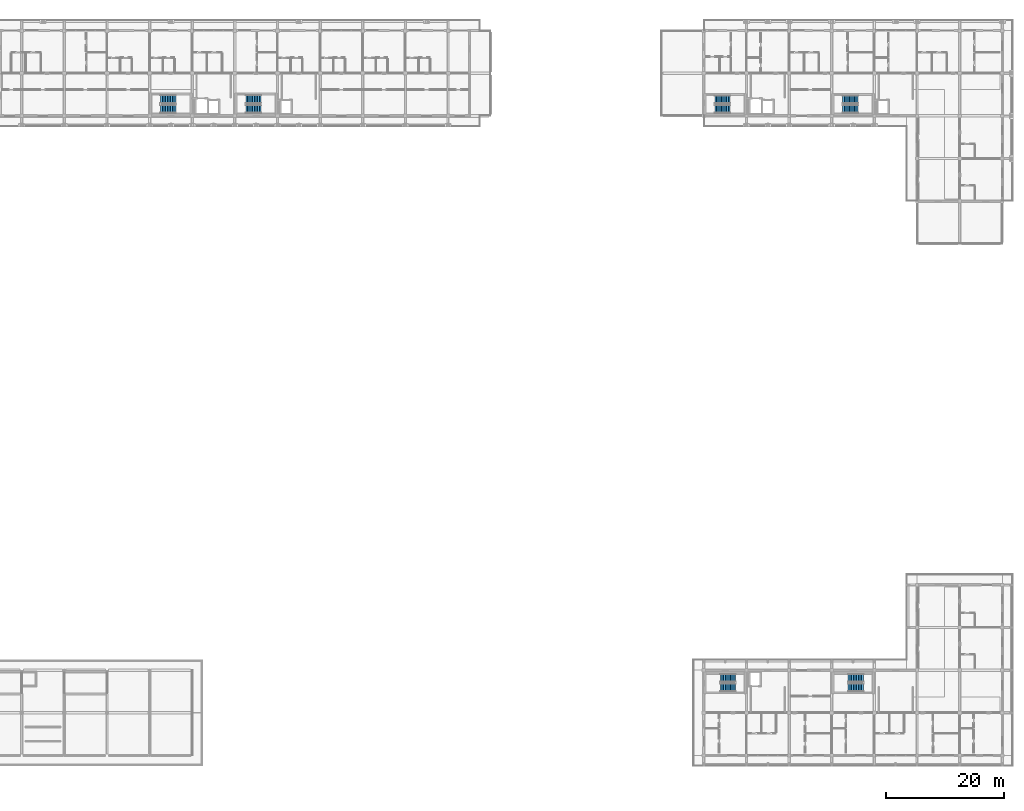
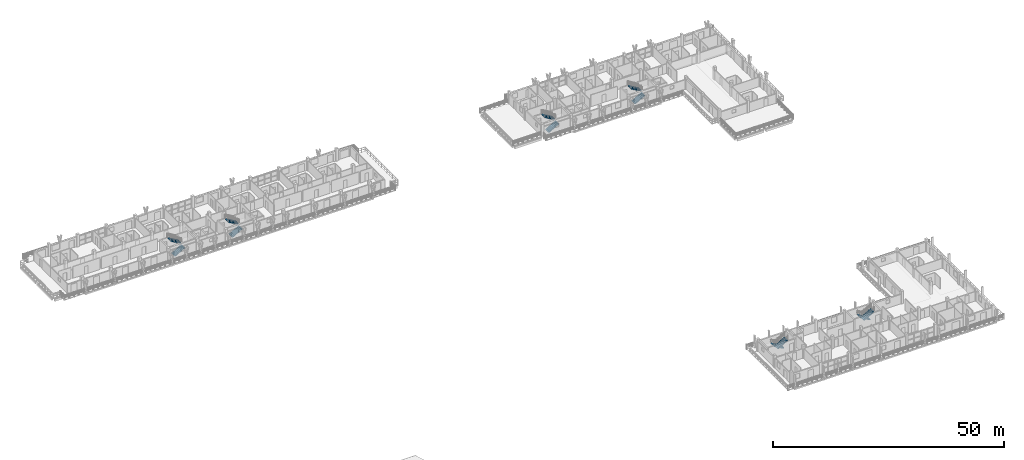
# One storey, part 48 of 60: 12 stair flights, 6 elements without a shape of their own.
"""IFC4 building model written with IfcOpenShell, lengths in metres."""

from ifc_helpers import new_model, si_unit, direction, frame, origin, place, context, subcontext, project, spatial, polyline, outline, extrude, material, type_object, element, aggregate, save


model = new_model("IFC4")

# Units and contexts
model_context = context("Model", 3, precision=1e-05, world=origin(), true_north=direction((0.0, 1.0)))
body_context = subcontext(model_context, "Body", "Model", "MODEL_VIEW")
ifc_project = project(units=[si_unit("LENGTHUNIT", "METRE"), si_unit("AREAUNIT", "SQUARE_METRE"), si_unit("VOLUMEUNIT", "CUBIC_METRE"), si_unit("PLANEANGLEUNIT", "RADIAN"), si_unit("MASSUNIT", "GRAM", prefix="KILO")], contexts=[model_context])

# Site, building, storey
site_placement = place(None, origin())
site = spatial("IfcSite", under=ifc_project, at=site_placement, CompositionType="ELEMENT")
building_placement = place(site_placement, origin())
building = spatial("IfcBuilding", under=site, at=building_placement, Name="Suanplinth Sawtooth Commons", CompositionType="ELEMENT")
storey_placement = place(building_placement, frame((0.0, 0.0, 31.5)))
storey = spatial("IfcBuildingStorey", under=building, at=storey_placement, Name="L09", CompositionType="ELEMENT", Elevation=31.5)

# Stair, stair flights
ifc_material = material(Name="Concrete C40/50", Category="concrete")
stair_type_1 = type_object("IfcStairType", Name="ST-04", PredefinedType="USERDEFINED", material=ifc_material)
stair_1_placement = place(storey_placement, origin())
stair_1 = element("IfcStair", 1, at=stair_1_placement, inside=storey, type_object=stair_type_1, Name="L09 Exit Stair ST-N1", ObjectType="TWO_RETURN_STAIR", PredefinedType="USERDEFINED")
stair_flight_type_1 = type_object("IfcStairFlightType", Name="SF-04", PredefinedType="STRAIGHT", material=ifc_material)
stair_flight_1_placement = place(storey_placement, frame((45.050048828125, 109.175048828125, 0.0), z_axis=(0.0, 0.0, 1.0), x_axis=(1.0, 0.0, 0.0)))
stair_flight_1 = element("IfcStairFlight", 2, at=stair_flight_1_placement, type_object=stair_flight_type_1, Name="ST-04 flight 1", NumberOfRisers=10, NumberOfTreads=9, PredefinedType="STRAIGHT", RiserHeight=0.165, TreadLength=0.285, context=body_context, shape_type="SweptSolid", body=[
    extrude(outline(polyline([(0.0, 0.0), (0.0, 0.1650390625), (0.284912109375, 0.1650390625), (0.284912109375, 0.330078125), (0.570068359375, 0.330078125), (0.570068359375, 0.4951171875), (0.85498046875, 0.4951171875), (0.85498046875, 0.659912109375), (1.139892578125, 0.659912109375), (1.139892578125, 0.824951171875), (1.425048828125, 0.824951171875), (1.425048828125, 0.989990234375), (1.7099609375, 0.989990234375), (1.7099609375, 1.155029296875), (1.9951171875, 1.155029296875), (1.9951171875, 1.320068359375), (2.280029296875, 1.320068359375), (2.280029296875, 1.485107421875), (2.56494140625, 1.485107421875), (2.56494140625, 1.64990234375), (2.56494140625, 1.30029296875), (0.319091796875, 0.0), (0.0, 0.0)])), frame((0.0, 0.72509765625, 0.0), z_axis=(0.0, -1.0, 0.0), x_axis=(1.0, 0.0, 0.0)), (0.0, 0.0, 1.0), 1.449951171875),
])
stair_flight_2_placement = place(storey_placement, frame((47.614990234375, 110.824951171875, 1.64990234375), z_axis=(0.0, 0.0, 1.0), x_axis=(-1.0, 0.0, 0.0)))
stair_flight_2 = element("IfcStairFlight", 3, at=stair_flight_2_placement, type_object=stair_flight_type_1, Name="ST-04 flight 2", NumberOfRisers=10, NumberOfTreads=9, PredefinedType="STRAIGHT", RiserHeight=0.165, TreadLength=0.285, context=body_context, shape_type="SweptSolid", body=[
    extrude(outline(polyline([(0.0, 0.0), (0.0, 0.1650390625), (0.284912109375, 0.1650390625), (0.284912109375, 0.330078125), (0.570068359375, 0.330078125), (0.570068359375, 0.4951171875), (0.85498046875, 0.4951171875), (0.85498046875, 0.659912109375), (1.139892578125, 0.659912109375), (1.139892578125, 0.824951171875), (1.425048828125, 0.824951171875), (1.425048828125, 0.989990234375), (1.7099609375, 0.989990234375), (1.7099609375, 1.155029296875), (1.9951171875, 1.155029296875), (1.9951171875, 1.320068359375), (2.280029296875, 1.320068359375), (2.280029296875, 1.485107421875), (2.56494140625, 1.485107421875), (2.56494140625, 1.64990234375), (2.56494140625, 1.30029296875), (0.319091796875, 0.0), (0.0, 0.0)])), frame((0.0, 0.72509765625, 0.0), z_axis=(0.0, -1.0, 0.0), x_axis=(1.0, 0.0, 0.0)), (0.0, 0.0, 1.0), 1.449951171875),
])
aggregate(stair_1, [stair_flight_1, stair_flight_2])

stair_2_placement = place(storey_placement, origin())
stair_2 = element("IfcStair", 4, at=stair_2_placement, inside=storey, type_object=stair_type_1, Name="L09 Exit Stair ST-N2", ObjectType="TWO_RETURN_STAIR", PredefinedType="USERDEFINED")
stair_flight_3_placement = place(storey_placement, frame((59.449951171875, 109.175048828125, 0.0), z_axis=(0.0, 0.0, 1.0), x_axis=(1.0, 0.0, 0.0)))
stair_flight_3 = element("IfcStairFlight", 5, at=stair_flight_3_placement, type_object=stair_flight_type_1, Name="ST-04 flight 1", NumberOfRisers=10, NumberOfTreads=9, PredefinedType="STRAIGHT", RiserHeight=0.165, TreadLength=0.285, context=body_context, shape_type="SweptSolid", body=[
    extrude(outline(polyline([(0.0, 0.0), (0.0, 0.1650390625), (0.284912109375, 0.1650390625), (0.284912109375, 0.330078125), (0.570068359375, 0.330078125), (0.570068359375, 0.4951171875), (0.85498046875, 0.4951171875), (0.85498046875, 0.659912109375), (1.139892578125, 0.659912109375), (1.139892578125, 0.824951171875), (1.425048828125, 0.824951171875), (1.425048828125, 0.989990234375), (1.7099609375, 0.989990234375), (1.7099609375, 1.155029296875), (1.9951171875, 1.155029296875), (1.9951171875, 1.320068359375), (2.280029296875, 1.320068359375), (2.280029296875, 1.485107421875), (2.56494140625, 1.485107421875), (2.56494140625, 1.64990234375), (2.56494140625, 1.30029296875), (0.319091796875, 0.0), (0.0, 0.0)])), frame((0.0, 0.72509765625, 0.0), z_axis=(0.0, -1.0, 0.0), x_axis=(1.0, 0.0, 0.0)), (0.0, 0.0, 1.0), 1.449951171875),
])
stair_flight_4_placement = place(storey_placement, frame((62.014892578125, 110.824951171875, 1.64990234375), z_axis=(0.0, 0.0, 1.0), x_axis=(-1.0, 0.0, 0.0)))
stair_flight_4 = element("IfcStairFlight", 6, at=stair_flight_4_placement, type_object=stair_flight_type_1, Name="ST-04 flight 2", NumberOfRisers=10, NumberOfTreads=9, PredefinedType="STRAIGHT", RiserHeight=0.165, TreadLength=0.285, context=body_context, shape_type="SweptSolid", body=[
    extrude(outline(polyline([(0.0, 0.0), (0.0, 0.1650390625), (0.284912109375, 0.1650390625), (0.284912109375, 0.330078125), (0.570068359375, 0.330078125), (0.570068359375, 0.4951171875), (0.85498046875, 0.4951171875), (0.85498046875, 0.659912109375), (1.139892578125, 0.659912109375), (1.139892578125, 0.824951171875), (1.425048828125, 0.824951171875), (1.425048828125, 0.989990234375), (1.7099609375, 0.989990234375), (1.7099609375, 1.155029296875), (1.9951171875, 1.155029296875), (1.9951171875, 1.320068359375), (2.280029296875, 1.320068359375), (2.280029296875, 1.485107421875), (2.56494140625, 1.485107421875), (2.56494140625, 1.64990234375), (2.56494140625, 1.30029296875), (0.319091796875, 0.0), (0.0, 0.0)])), frame((0.0, 0.72509765625, 0.0), z_axis=(0.0, -1.0, 0.0), x_axis=(1.0, 0.0, 0.0)), (0.0, 0.0, 1.0), 1.449951171875),
])
aggregate(stair_2, [stair_flight_3, stair_flight_4])

stair_type_2 = type_object("IfcStairType", Name="ST-08", PredefinedType="USERDEFINED", material=ifc_material)
stair_3_placement = place(storey_placement, origin())
stair_3 = element("IfcStair", 7, at=stair_3_placement, inside=storey, type_object=stair_type_2, Name="L09 Exit Stair ST-E1", ObjectType="TWO_RETURN_STAIR", PredefinedType="USERDEFINED")
stair_flight_type_2 = type_object("IfcStairFlightType", Name="SF-08", PredefinedType="STRAIGHT", material=ifc_material)
stair_flight_5_placement = place(storey_placement, frame((138.64990234375, 109.14990234375, 0.0), z_axis=(0.0, 0.0, 1.0), x_axis=(1.0, 0.0, 0.0)))
stair_flight_5 = element("IfcStairFlight", 8, at=stair_flight_5_placement, type_object=stair_flight_type_2, Name="ST-08 flight 1", NumberOfRisers=10, NumberOfTreads=9, PredefinedType="STRAIGHT", RiserHeight=0.165, TreadLength=0.285, context=body_context, shape_type="SweptSolid", body=[
    extrude(outline(polyline([(0.0, 0.0), (0.0, 0.1650390625), (0.284912109375, 0.1650390625), (0.284912109375, 0.330078125), (0.570068359375, 0.330078125), (0.570068359375, 0.4951171875), (0.85498046875, 0.4951171875), (0.85498046875, 0.659912109375), (1.139892578125, 0.659912109375), (1.139892578125, 0.824951171875), (1.425048828125, 0.824951171875), (1.425048828125, 0.989990234375), (1.7099609375, 0.989990234375), (1.7099609375, 1.155029296875), (1.9951171875, 1.155029296875), (1.9951171875, 1.320068359375), (2.280029296875, 1.320068359375), (2.280029296875, 1.485107421875), (2.56494140625, 1.485107421875), (2.56494140625, 1.64990234375), (2.56494140625, 1.30029296875), (0.319091796875, 0.0), (0.0, 0.0)])), frame((0.0, 0.699951171875, 0.0), z_axis=(0.0, -1.0, 0.0), x_axis=(1.0, 0.0, 0.0)), (0.0, 0.0, 1.0), 1.39990234375),
])
stair_flight_6_placement = place(storey_placement, frame((141.215087890625, 110.75, 1.64990234375), z_axis=(0.0, 0.0, 1.0), x_axis=(-1.0, 0.0, 0.0)))
stair_flight_6 = element("IfcStairFlight", 9, at=stair_flight_6_placement, type_object=stair_flight_type_2, Name="ST-08 flight 2", NumberOfRisers=10, NumberOfTreads=9, PredefinedType="STRAIGHT", RiserHeight=0.165, TreadLength=0.285, context=body_context, shape_type="SweptSolid", body=[
    extrude(outline(polyline([(0.0, 0.0), (0.0, 0.1650390625), (0.284912109375, 0.1650390625), (0.284912109375, 0.330078125), (0.570068359375, 0.330078125), (0.570068359375, 0.4951171875), (0.85498046875, 0.4951171875), (0.85498046875, 0.659912109375), (1.139892578125, 0.659912109375), (1.139892578125, 0.824951171875), (1.425048828125, 0.824951171875), (1.425048828125, 0.989990234375), (1.7099609375, 0.989990234375), (1.7099609375, 1.155029296875), (1.9951171875, 1.155029296875), (1.9951171875, 1.320068359375), (2.280029296875, 1.320068359375), (2.280029296875, 1.485107421875), (2.56494140625, 1.485107421875), (2.56494140625, 1.64990234375), (2.56494140625, 1.30029296875), (0.319091796875, 0.0), (0.0, 0.0)])), frame((0.0, 0.699951171875, 0.0), z_axis=(0.0, -1.0, 0.0), x_axis=(1.0, 0.0, 0.0)), (0.0, 0.0, 1.0), 1.39990234375),
])
aggregate(stair_3, [stair_flight_5, stair_flight_6])

stair_4_placement = place(storey_placement, origin())
stair_4 = element("IfcStair", 10, at=stair_4_placement, inside=storey, type_object=stair_type_2, Name="L09 Exit Stair ST-E2", ObjectType="TWO_RETURN_STAIR", PredefinedType="USERDEFINED")
stair_flight_7_placement = place(storey_placement, frame((160.25, 109.14990234375, 0.0), z_axis=(0.0, 0.0, 1.0), x_axis=(1.0, 0.0, 0.0)))
stair_flight_7 = element("IfcStairFlight", 11, at=stair_flight_7_placement, type_object=stair_flight_type_2, Name="ST-08 flight 1", NumberOfRisers=10, NumberOfTreads=9, PredefinedType="STRAIGHT", RiserHeight=0.165, TreadLength=0.285, context=body_context, shape_type="SweptSolid", body=[
    extrude(outline(polyline([(0.0, 0.0), (0.0, 0.1650390625), (0.284912109375, 0.1650390625), (0.284912109375, 0.330078125), (0.570068359375, 0.330078125), (0.570068359375, 0.4951171875), (0.85498046875, 0.4951171875), (0.85498046875, 0.659912109375), (1.139892578125, 0.659912109375), (1.139892578125, 0.824951171875), (1.425048828125, 0.824951171875), (1.425048828125, 0.989990234375), (1.7099609375, 0.989990234375), (1.7099609375, 1.155029296875), (1.9951171875, 1.155029296875), (1.9951171875, 1.320068359375), (2.280029296875, 1.320068359375), (2.280029296875, 1.485107421875), (2.56494140625, 1.485107421875), (2.56494140625, 1.64990234375), (2.56494140625, 1.30029296875), (0.319091796875, 0.0), (0.0, 0.0)])), frame((0.0, 0.699951171875, 0.0), z_axis=(0.0, -1.0, 0.0), x_axis=(1.0, 0.0, 0.0)), (0.0, 0.0, 1.0), 1.39990234375),
])
stair_flight_8_placement = place(storey_placement, frame((162.81494140625, 110.75, 1.64990234375), z_axis=(0.0, 0.0, 1.0), x_axis=(-1.0, 0.0, 0.0)))
stair_flight_8 = element("IfcStairFlight", 12, at=stair_flight_8_placement, type_object=stair_flight_type_2, Name="ST-08 flight 2", NumberOfRisers=10, NumberOfTreads=9, PredefinedType="STRAIGHT", RiserHeight=0.165, TreadLength=0.285, context=body_context, shape_type="SweptSolid", body=[
    extrude(outline(polyline([(0.0, 0.0), (0.0, 0.1650390625), (0.284912109375, 0.1650390625), (0.284912109375, 0.330078125), (0.570068359375, 0.330078125), (0.570068359375, 0.4951171875), (0.85498046875, 0.4951171875), (0.85498046875, 0.659912109375), (1.139892578125, 0.659912109375), (1.139892578125, 0.824951171875), (1.425048828125, 0.824951171875), (1.425048828125, 0.989990234375), (1.7099609375, 0.989990234375), (1.7099609375, 1.155029296875), (1.9951171875, 1.155029296875), (1.9951171875, 1.320068359375), (2.280029296875, 1.320068359375), (2.280029296875, 1.485107421875), (2.56494140625, 1.485107421875), (2.56494140625, 1.64990234375), (2.56494140625, 1.30029296875), (0.319091796875, 0.0), (0.0, 0.0)])), frame((0.0, 0.699951171875, 0.0), z_axis=(0.0, -1.0, 0.0), x_axis=(1.0, 0.0, 0.0)), (0.0, 0.0, 1.0), 1.39990234375),
])
aggregate(stair_4, [stair_flight_7, stair_flight_8])

stair_5_placement = place(storey_placement, origin())
stair_5 = element("IfcStair", 13, at=stair_5_placement, inside=storey, type_object=stair_type_2, Name="L09 Exit Stair ST-S1", ObjectType="TWO_RETURN_STAIR", PredefinedType="USERDEFINED")
stair_flight_9_placement = place(storey_placement, frame((142.14990234375, 13.050048828125, 0.0), z_axis=(0.0, 0.0, 1.0), x_axis=(-1.0, 0.0, 0.0)))
stair_flight_9 = element("IfcStairFlight", 14, at=stair_flight_9_placement, type_object=stair_flight_type_2, Name="ST-08 flight 1", NumberOfRisers=10, NumberOfTreads=9, PredefinedType="STRAIGHT", RiserHeight=0.165, TreadLength=0.285, context=body_context, shape_type="SweptSolid", body=[
    extrude(outline(polyline([(0.0, 0.0), (0.0, 0.1650390625), (0.284912109375, 0.1650390625), (0.284912109375, 0.330078125), (0.570068359375, 0.330078125), (0.570068359375, 0.4951171875), (0.85498046875, 0.4951171875), (0.85498046875, 0.659912109375), (1.139892578125, 0.659912109375), (1.139892578125, 0.824951171875), (1.425048828125, 0.824951171875), (1.425048828125, 0.989990234375), (1.7099609375, 0.989990234375), (1.7099609375, 1.155029296875), (1.9951171875, 1.155029296875), (1.9951171875, 1.320068359375), (2.280029296875, 1.320068359375), (2.280029296875, 1.485107421875), (2.56494140625, 1.485107421875), (2.56494140625, 1.64990234375), (2.56494140625, 1.30029296875), (0.319091796875, 0.0), (0.0, 0.0)])), frame((0.0, 0.699951171875, 0.0), z_axis=(0.0, -1.0, 0.0), x_axis=(1.0, 0.0, 0.0)), (0.0, 0.0, 1.0), 1.39990234375),
])
stair_flight_10_placement = place(storey_placement, frame((139.5849609375, 11.449951171875, 1.64990234375), z_axis=(0.0, 0.0, 1.0), x_axis=(1.0, 0.0, 0.0)))
stair_flight_10 = element("IfcStairFlight", 15, at=stair_flight_10_placement, type_object=stair_flight_type_2, Name="ST-08 flight 2", NumberOfRisers=10, NumberOfTreads=9, PredefinedType="STRAIGHT", RiserHeight=0.165, TreadLength=0.285, context=body_context, shape_type="SweptSolid", body=[
    extrude(outline(polyline([(0.0, 0.0), (0.0, 0.1650390625), (0.284912109375, 0.1650390625), (0.284912109375, 0.330078125), (0.570068359375, 0.330078125), (0.570068359375, 0.4951171875), (0.85498046875, 0.4951171875), (0.85498046875, 0.659912109375), (1.139892578125, 0.659912109375), (1.139892578125, 0.824951171875), (1.425048828125, 0.824951171875), (1.425048828125, 0.989990234375), (1.7099609375, 0.989990234375), (1.7099609375, 1.155029296875), (1.9951171875, 1.155029296875), (1.9951171875, 1.320068359375), (2.280029296875, 1.320068359375), (2.280029296875, 1.485107421875), (2.56494140625, 1.485107421875), (2.56494140625, 1.64990234375), (2.56494140625, 1.30029296875), (0.319091796875, 0.0), (0.0, 0.0)])), frame((0.0, 0.699951171875, 0.0), z_axis=(0.0, -1.0, 0.0), x_axis=(1.0, 0.0, 0.0)), (0.0, 0.0, 1.0), 1.39990234375),
])
aggregate(stair_5, [stair_flight_9, stair_flight_10])

stair_6_placement = place(storey_placement, origin())
stair_6 = element("IfcStair", 16, at=stair_6_placement, inside=storey, type_object=stair_type_2, Name="L09 Exit Stair ST-S2", ObjectType="TWO_RETURN_STAIR", PredefinedType="USERDEFINED")
stair_flight_11_placement = place(storey_placement, frame((163.75, 13.050048828125, 0.0), z_axis=(0.0, 0.0, 1.0), x_axis=(-1.0, 0.0, 0.0)))
stair_flight_11 = element("IfcStairFlight", 17, at=stair_flight_11_placement, type_object=stair_flight_type_2, Name="ST-08 flight 1", NumberOfRisers=10, NumberOfTreads=9, PredefinedType="STRAIGHT", RiserHeight=0.165, TreadLength=0.285, context=body_context, shape_type="SweptSolid", body=[
    extrude(outline(polyline([(0.0, 0.0), (0.0, 0.1650390625), (0.284912109375, 0.1650390625), (0.284912109375, 0.330078125), (0.570068359375, 0.330078125), (0.570068359375, 0.4951171875), (0.85498046875, 0.4951171875), (0.85498046875, 0.659912109375), (1.139892578125, 0.659912109375), (1.139892578125, 0.824951171875), (1.425048828125, 0.824951171875), (1.425048828125, 0.989990234375), (1.7099609375, 0.989990234375), (1.7099609375, 1.155029296875), (1.9951171875, 1.155029296875), (1.9951171875, 1.320068359375), (2.280029296875, 1.320068359375), (2.280029296875, 1.485107421875), (2.56494140625, 1.485107421875), (2.56494140625, 1.64990234375), (2.56494140625, 1.30029296875), (0.319091796875, 0.0), (0.0, 0.0)])), frame((0.0, 0.699951171875, 0.0), z_axis=(0.0, -1.0, 0.0), x_axis=(1.0, 0.0, 0.0)), (0.0, 0.0, 1.0), 1.39990234375),
])
stair_flight_12_placement = place(storey_placement, frame((161.18505859375, 11.449951171875, 1.64990234375), z_axis=(0.0, 0.0, 1.0), x_axis=(1.0, 0.0, 0.0)))
stair_flight_12 = element("IfcStairFlight", 18, at=stair_flight_12_placement, type_object=stair_flight_type_2, Name="ST-08 flight 2", NumberOfRisers=10, NumberOfTreads=9, PredefinedType="STRAIGHT", RiserHeight=0.165, TreadLength=0.285, context=body_context, shape_type="SweptSolid", body=[
    extrude(outline(polyline([(0.0, 0.0), (0.0, 0.1650390625), (0.284912109375, 0.1650390625), (0.284912109375, 0.330078125), (0.570068359375, 0.330078125), (0.570068359375, 0.4951171875), (0.85498046875, 0.4951171875), (0.85498046875, 0.659912109375), (1.139892578125, 0.659912109375), (1.139892578125, 0.824951171875), (1.425048828125, 0.824951171875), (1.425048828125, 0.989990234375), (1.7099609375, 0.989990234375), (1.7099609375, 1.155029296875), (1.9951171875, 1.155029296875), (1.9951171875, 1.320068359375), (2.280029296875, 1.320068359375), (2.280029296875, 1.485107421875), (2.56494140625, 1.485107421875), (2.56494140625, 1.64990234375), (2.56494140625, 1.30029296875), (0.319091796875, 0.0), (0.0, 0.0)])), frame((0.0, 0.699951171875, 0.0), z_axis=(0.0, -1.0, 0.0), x_axis=(1.0, 0.0, 0.0)), (0.0, 0.0, 1.0), 1.39990234375),
])
aggregate(stair_6, [stair_flight_11, stair_flight_12])

save(model, "model.ifc")
